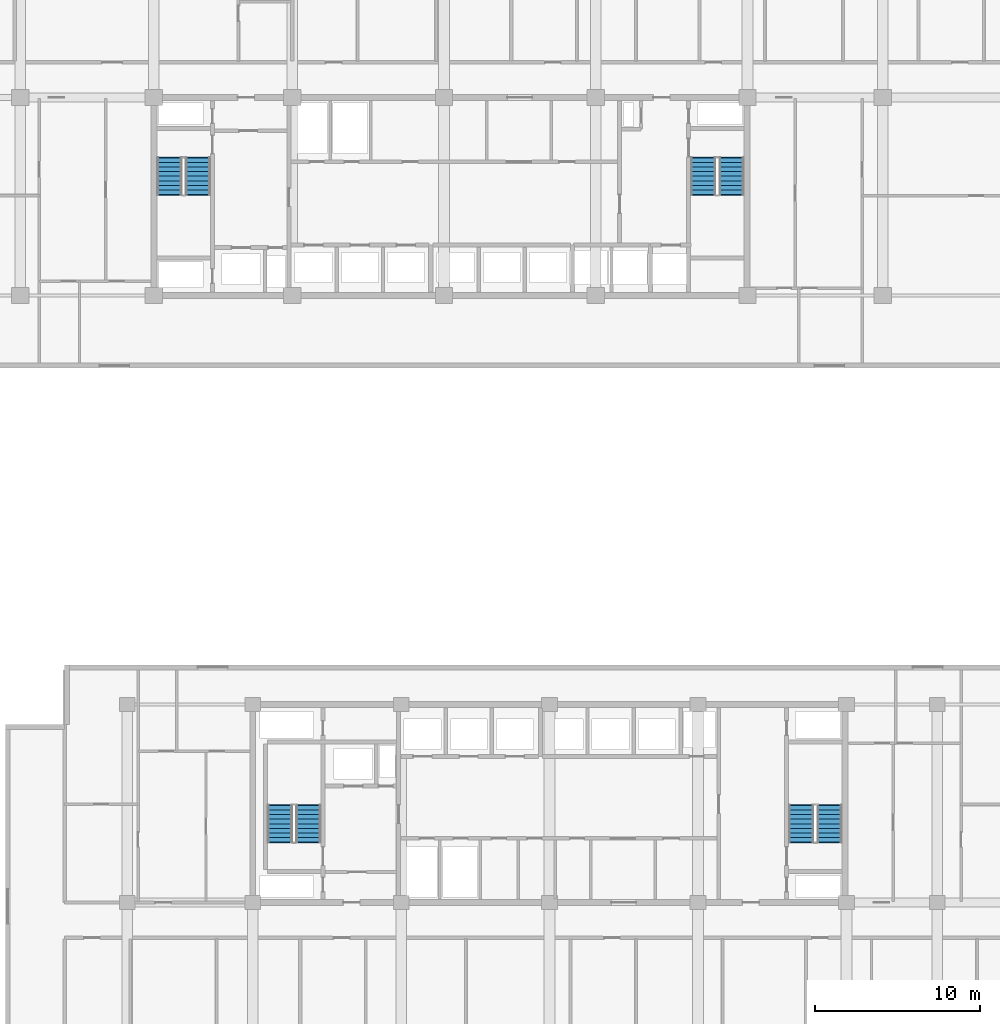
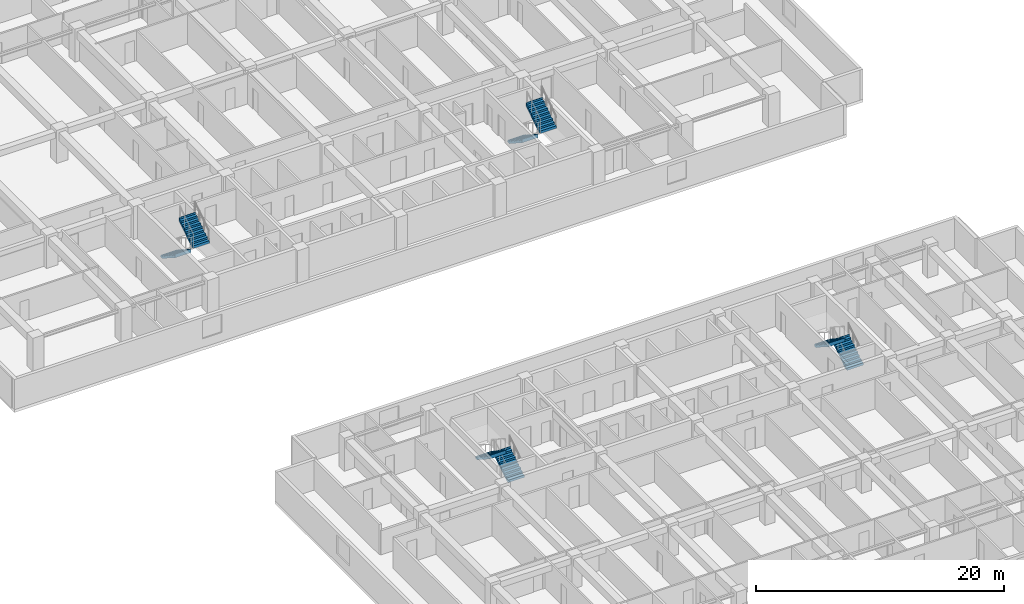
# One storey, part 18 of 23: 8 stair flights, 4 elements without a shape of their own.
"""IFC4 building model written with IfcOpenShell, lengths in metres."""

from ifc_helpers import new_model, si_unit, direction, frame, origin, place, context, subcontext, project, spatial, polyline, outline, extrude, material, type_object, element, aggregate, save


model = new_model("IFC4")

# Units and contexts
model_context = context("Model", 3, precision=1e-05, world=origin(), true_north=direction((0.0, 1.0)))
body_context = subcontext(model_context, "Body", "Model", "MODEL_VIEW")
ifc_project = project(units=[si_unit("LENGTHUNIT", "METRE"), si_unit("AREAUNIT", "SQUARE_METRE"), si_unit("VOLUMEUNIT", "CUBIC_METRE"), si_unit("PLANEANGLEUNIT", "RADIAN"), si_unit("MASSUNIT", "GRAM", prefix="KILO")], contexts=[model_context])

# Site, building, storey
site_placement = place(None, origin())
site = spatial("IfcSite", under=ifc_project, at=site_placement, CompositionType="ELEMENT")
building_placement = place(site_placement, origin())
building = spatial("IfcBuilding", under=site, at=building_placement, Name="Korimba Cascade Residences", CompositionType="ELEMENT")
storey_placement = place(building_placement, frame((0.0, 0.0, 37.0)))
storey = spatial("IfcBuildingStorey", under=building, at=storey_placement, Name="L09", CompositionType="ELEMENT", Elevation=37.0)

# Stair, stair flights
ifc_material = material(Name="Concrete C50/60", Category="concrete")
stair_type_1 = type_object("IfcStairType", Name="STR-W1-18R-1806", PredefinedType="HALF_TURN_STAIR", material=ifc_material)
stair_1_placement = place(storey_placement, origin())
stair_1 = element("IfcStair", 1, at=stair_1_placement, inside=storey, type_object=stair_type_1, Name="L09 Tower 1 West Fire Stair ST-W1", PredefinedType="HALF_TURN_STAIR")
stair_flight_type = type_object("IfcStairFlightType", Name="STF-DL-18R-1806-1520", PredefinedType="STRAIGHT", material=ifc_material)
stair_flight_1_placement = place(storey_placement, frame((77.06005859375, 63.550048828125, 0.0), z_axis=(0.0, 0.0, 1.0), x_axis=(0.0, -1.0, 0.0)))
stair_flight_1 = element("IfcStairFlight", 2, at=stair_flight_1_placement, type_object=stair_flight_type, Name="ST-W1 flight 1", NumberOfRisers=9, NumberOfTreads=8, PredefinedType="STRAIGHT", RiserHeight=0.180555556, TreadLength=0.28, context=body_context, shape_type="SweptSolid", body=[
    extrude(outline(polyline([(-0.0380859375, 0.0), (0.0, 0.1806640625), (0.280029296875, 0.1806640625), (0.280029296875, 0.361083984375), (0.56005859375, 0.361083984375), (0.56005859375, 0.541748046875), (0.840087890625, 0.541748046875), (0.840087890625, 0.72216796875), (1.1201171875, 0.72216796875), (1.1201171875, 0.90283203125), (1.39990234375, 0.90283203125), (1.39990234375, 1.083251953125), (1.679931640625, 1.083251953125), (1.679931640625, 1.263916015625), (1.9599609375, 1.263916015625), (1.9599609375, 1.4443359375), (2.239990234375, 1.4443359375), (2.239990234375, 1.625), (2.278076171875, 1.625), (2.278076171875, 1.26611328125), (0.276611328125, 0.0), (0.276611328125, -0.0380859375), (-0.0380859375, -0.0380859375), (-0.0380859375, 0.0)])), frame((0.0, 0.760009765625, 0.0), z_axis=(0.0, -1.0, 0.0), x_axis=(1.0, 0.0, 0.0)), (0.0, 0.0, 1.0), 1.52001953125),
])
stair_flight_2_placement = place(storey_placement, frame((78.780029296875, 61.31005859375, 1.625), z_axis=(0.0, 0.0, 1.0), x_axis=(0.0, 1.0, 0.0)))
stair_flight_2 = element("IfcStairFlight", 3, at=stair_flight_2_placement, type_object=stair_flight_type, Name="ST-W1 flight 2", NumberOfRisers=9, NumberOfTreads=8, PredefinedType="STRAIGHT", RiserHeight=0.180555556, TreadLength=0.28, context=body_context, shape_type="SweptSolid", body=[
    extrude(outline(polyline([(-0.0380859375, 0.0), (0.0, 0.1806640625), (0.280029296875, 0.1806640625), (0.280029296875, 0.361083984375), (0.56005859375, 0.361083984375), (0.56005859375, 0.541748046875), (0.840087890625, 0.541748046875), (0.840087890625, 0.72216796875), (1.1201171875, 0.72216796875), (1.1201171875, 0.90283203125), (1.39990234375, 0.90283203125), (1.39990234375, 1.083251953125), (1.679931640625, 1.083251953125), (1.679931640625, 1.263916015625), (1.9599609375, 1.263916015625), (1.9599609375, 1.4443359375), (2.239990234375, 1.4443359375), (2.239990234375, 1.625), (2.278076171875, 1.625), (2.278076171875, 1.26611328125), (0.276611328125, 0.0), (0.276611328125, -0.0380859375), (-0.0380859375, -0.0380859375), (-0.0380859375, 0.0)])), frame((0.0, 0.760009765625, 0.0), z_axis=(0.0, -1.0, 0.0), x_axis=(1.0, 0.0, 0.0)), (0.0, 0.0, 1.0), 1.52001953125),
])
aggregate(stair_1, [stair_flight_1, stair_flight_2])

stair_type_2 = type_object("IfcStairType", Name="STR-W2-18R-1806", PredefinedType="HALF_TURN_STAIR", material=ifc_material)
stair_2_placement = place(storey_placement, origin())
stair_2 = element("IfcStair", 4, at=stair_2_placement, inside=storey, type_object=stair_type_2, Name="L09 Tower 1 East Fire Stair ST-W2", PredefinedType="HALF_TURN_STAIR")
stair_flight_3_placement = place(storey_placement, frame((109.419921875, 63.550048828125, 0.0), z_axis=(0.0, 0.0, 1.0), x_axis=(0.0, -1.0, 0.0)))
stair_flight_3 = element("IfcStairFlight", 5, at=stair_flight_3_placement, type_object=stair_flight_type, Name="ST-W2 flight 1", NumberOfRisers=9, NumberOfTreads=8, PredefinedType="STRAIGHT", RiserHeight=0.180555556, TreadLength=0.28, context=body_context, shape_type="SweptSolid", body=[
    extrude(outline(polyline([(-0.0380859375, 0.0), (0.0, 0.1806640625), (0.280029296875, 0.1806640625), (0.280029296875, 0.361083984375), (0.56005859375, 0.361083984375), (0.56005859375, 0.541748046875), (0.840087890625, 0.541748046875), (0.840087890625, 0.72216796875), (1.1201171875, 0.72216796875), (1.1201171875, 0.90283203125), (1.39990234375, 0.90283203125), (1.39990234375, 1.083251953125), (1.679931640625, 1.083251953125), (1.679931640625, 1.263916015625), (1.9599609375, 1.263916015625), (1.9599609375, 1.4443359375), (2.239990234375, 1.4443359375), (2.239990234375, 1.625), (2.278076171875, 1.625), (2.278076171875, 1.26611328125), (0.276611328125, 0.0), (0.276611328125, -0.0380859375), (-0.0380859375, -0.0380859375), (-0.0380859375, 0.0)])), frame((0.0, 0.760009765625, 0.0), z_axis=(0.0, -1.0, 0.0), x_axis=(1.0, 0.0, 0.0)), (0.0, 0.0, 1.0), 1.52001953125),
])
stair_flight_4_placement = place(storey_placement, frame((111.139892578125, 61.31005859375, 1.625), z_axis=(0.0, 0.0, 1.0), x_axis=(0.0, 1.0, 0.0)))
stair_flight_4 = element("IfcStairFlight", 6, at=stair_flight_4_placement, type_object=stair_flight_type, Name="ST-W2 flight 2", NumberOfRisers=9, NumberOfTreads=8, PredefinedType="STRAIGHT", RiserHeight=0.180555556, TreadLength=0.28, context=body_context, shape_type="SweptSolid", body=[
    extrude(outline(polyline([(-0.0380859375, 0.0), (0.0, 0.1806640625), (0.280029296875, 0.1806640625), (0.280029296875, 0.361083984375), (0.56005859375, 0.361083984375), (0.56005859375, 0.541748046875), (0.840087890625, 0.541748046875), (0.840087890625, 0.72216796875), (1.1201171875, 0.72216796875), (1.1201171875, 0.90283203125), (1.39990234375, 0.90283203125), (1.39990234375, 1.083251953125), (1.679931640625, 1.083251953125), (1.679931640625, 1.263916015625), (1.9599609375, 1.263916015625), (1.9599609375, 1.4443359375), (2.239990234375, 1.4443359375), (2.239990234375, 1.625), (2.278076171875, 1.625), (2.278076171875, 1.26611328125), (0.276611328125, 0.0), (0.276611328125, -0.0380859375), (-0.0380859375, -0.0380859375), (-0.0380859375, 0.0)])), frame((0.0, 0.760009765625, 0.0), z_axis=(0.0, -1.0, 0.0), x_axis=(1.0, 0.0, 0.0)), (0.0, 0.0, 1.0), 1.52001953125),
])
aggregate(stair_2, [stair_flight_3, stair_flight_4])

stair_type_3 = type_object("IfcStairType", Name="STR-E1-18R-1806", PredefinedType="HALF_TURN_STAIR", material=ifc_material)
stair_3_placement = place(storey_placement, origin())
stair_3 = element("IfcStair", 7, at=stair_3_placement, inside=storey, type_object=stair_type_3, Name="L09 Tower 2 West Fire Stair ST-E1", PredefinedType="HALF_TURN_STAIR")
stair_flight_5_placement = place(storey_placement, frame((85.47998046875, 22.050048828125, 0.0), z_axis=(0.0, 0.0, 1.0), x_axis=(0.0, 1.0, 0.0)))
stair_flight_5 = element("IfcStairFlight", 8, at=stair_flight_5_placement, type_object=stair_flight_type, Name="ST-E1 flight 1", NumberOfRisers=9, NumberOfTreads=8, PredefinedType="STRAIGHT", RiserHeight=0.180555556, TreadLength=0.28, context=body_context, shape_type="SweptSolid", body=[
    extrude(outline(polyline([(-0.0380859375, 0.0), (0.0, 0.1806640625), (0.280029296875, 0.1806640625), (0.280029296875, 0.361083984375), (0.56005859375, 0.361083984375), (0.56005859375, 0.541748046875), (0.840087890625, 0.541748046875), (0.840087890625, 0.72216796875), (1.1201171875, 0.72216796875), (1.1201171875, 0.90283203125), (1.39990234375, 0.90283203125), (1.39990234375, 1.083251953125), (1.679931640625, 1.083251953125), (1.679931640625, 1.263916015625), (1.9599609375, 1.263916015625), (1.9599609375, 1.4443359375), (2.239990234375, 1.4443359375), (2.239990234375, 1.625), (2.278076171875, 1.625), (2.278076171875, 1.26611328125), (0.276611328125, 0.0), (0.276611328125, -0.0380859375), (-0.0380859375, -0.0380859375), (-0.0380859375, 0.0)])), frame((0.0, 0.760009765625, 0.0), z_axis=(0.0, -1.0, 0.0), x_axis=(1.0, 0.0, 0.0)), (0.0, 0.0, 1.0), 1.52001953125),
])
stair_flight_6_placement = place(storey_placement, frame((83.760009765625, 24.2900390625, 1.625), z_axis=(0.0, 0.0, 1.0), x_axis=(0.0, -1.0, 0.0)))
stair_flight_6 = element("IfcStairFlight", 9, at=stair_flight_6_placement, type_object=stair_flight_type, Name="ST-E1 flight 2", NumberOfRisers=9, NumberOfTreads=8, PredefinedType="STRAIGHT", RiserHeight=0.180555556, TreadLength=0.28, context=body_context, shape_type="SweptSolid", body=[
    extrude(outline(polyline([(-0.0380859375, 0.0), (0.0, 0.1806640625), (0.280029296875, 0.1806640625), (0.280029296875, 0.361083984375), (0.56005859375, 0.361083984375), (0.56005859375, 0.541748046875), (0.840087890625, 0.541748046875), (0.840087890625, 0.72216796875), (1.1201171875, 0.72216796875), (1.1201171875, 0.90283203125), (1.39990234375, 0.90283203125), (1.39990234375, 1.083251953125), (1.679931640625, 1.083251953125), (1.679931640625, 1.263916015625), (1.9599609375, 1.263916015625), (1.9599609375, 1.4443359375), (2.239990234375, 1.4443359375), (2.239990234375, 1.625), (2.278076171875, 1.625), (2.278076171875, 1.26611328125), (0.276611328125, 0.0), (0.276611328125, -0.0380859375), (-0.0380859375, -0.0380859375), (-0.0380859375, 0.0)])), frame((0.0, 0.760009765625, 0.0), z_axis=(0.0, -1.0, 0.0), x_axis=(1.0, 0.0, 0.0)), (0.0, 0.0, 1.0), 1.52001953125),
])
aggregate(stair_3, [stair_flight_5, stair_flight_6])

stair_type_4 = type_object("IfcStairType", Name="STR-E2-18R-1806", PredefinedType="HALF_TURN_STAIR", material=ifc_material)
stair_4_placement = place(storey_placement, origin())
stair_4 = element("IfcStair", 10, at=stair_4_placement, inside=storey, type_object=stair_type_4, Name="L09 Tower 2 East Fire Stair ST-E2", PredefinedType="HALF_TURN_STAIR")
stair_flight_7_placement = place(storey_placement, frame((117.080078125, 22.050048828125, 0.0), z_axis=(0.0, 0.0, 1.0), x_axis=(0.0, 1.0, 0.0)))
stair_flight_7 = element("IfcStairFlight", 11, at=stair_flight_7_placement, type_object=stair_flight_type, Name="ST-E2 flight 1", NumberOfRisers=9, NumberOfTreads=8, PredefinedType="STRAIGHT", RiserHeight=0.180555556, TreadLength=0.28, context=body_context, shape_type="SweptSolid", body=[
    extrude(outline(polyline([(-0.0380859375, 0.0), (0.0, 0.1806640625), (0.280029296875, 0.1806640625), (0.280029296875, 0.361083984375), (0.56005859375, 0.361083984375), (0.56005859375, 0.541748046875), (0.840087890625, 0.541748046875), (0.840087890625, 0.72216796875), (1.1201171875, 0.72216796875), (1.1201171875, 0.90283203125), (1.39990234375, 0.90283203125), (1.39990234375, 1.083251953125), (1.679931640625, 1.083251953125), (1.679931640625, 1.263916015625), (1.9599609375, 1.263916015625), (1.9599609375, 1.4443359375), (2.239990234375, 1.4443359375), (2.239990234375, 1.625), (2.278076171875, 1.625), (2.278076171875, 1.26611328125), (0.276611328125, 0.0), (0.276611328125, -0.0380859375), (-0.0380859375, -0.0380859375), (-0.0380859375, 0.0)])), frame((0.0, 0.760009765625, 0.0), z_axis=(0.0, -1.0, 0.0), x_axis=(1.0, 0.0, 0.0)), (0.0, 0.0, 1.0), 1.52001953125),
])
stair_flight_8_placement = place(storey_placement, frame((115.360107421875, 24.2900390625, 1.625), z_axis=(0.0, 0.0, 1.0), x_axis=(0.0, -1.0, 0.0)))
stair_flight_8 = element("IfcStairFlight", 12, at=stair_flight_8_placement, type_object=stair_flight_type, Name="ST-E2 flight 2", NumberOfRisers=9, NumberOfTreads=8, PredefinedType="STRAIGHT", RiserHeight=0.180555556, TreadLength=0.28, context=body_context, shape_type="SweptSolid", body=[
    extrude(outline(polyline([(-0.0380859375, 0.0), (0.0, 0.1806640625), (0.280029296875, 0.1806640625), (0.280029296875, 0.361083984375), (0.56005859375, 0.361083984375), (0.56005859375, 0.541748046875), (0.840087890625, 0.541748046875), (0.840087890625, 0.72216796875), (1.1201171875, 0.72216796875), (1.1201171875, 0.90283203125), (1.39990234375, 0.90283203125), (1.39990234375, 1.083251953125), (1.679931640625, 1.083251953125), (1.679931640625, 1.263916015625), (1.9599609375, 1.263916015625), (1.9599609375, 1.4443359375), (2.239990234375, 1.4443359375), (2.239990234375, 1.625), (2.278076171875, 1.625), (2.278076171875, 1.26611328125), (0.276611328125, 0.0), (0.276611328125, -0.0380859375), (-0.0380859375, -0.0380859375), (-0.0380859375, 0.0)])), frame((0.0, 0.760009765625, 0.0), z_axis=(0.0, -1.0, 0.0), x_axis=(1.0, 0.0, 0.0)), (0.0, 0.0, 1.0), 1.52001953125),
])
aggregate(stair_4, [stair_flight_7, stair_flight_8])

save(model, "model.ifc")
